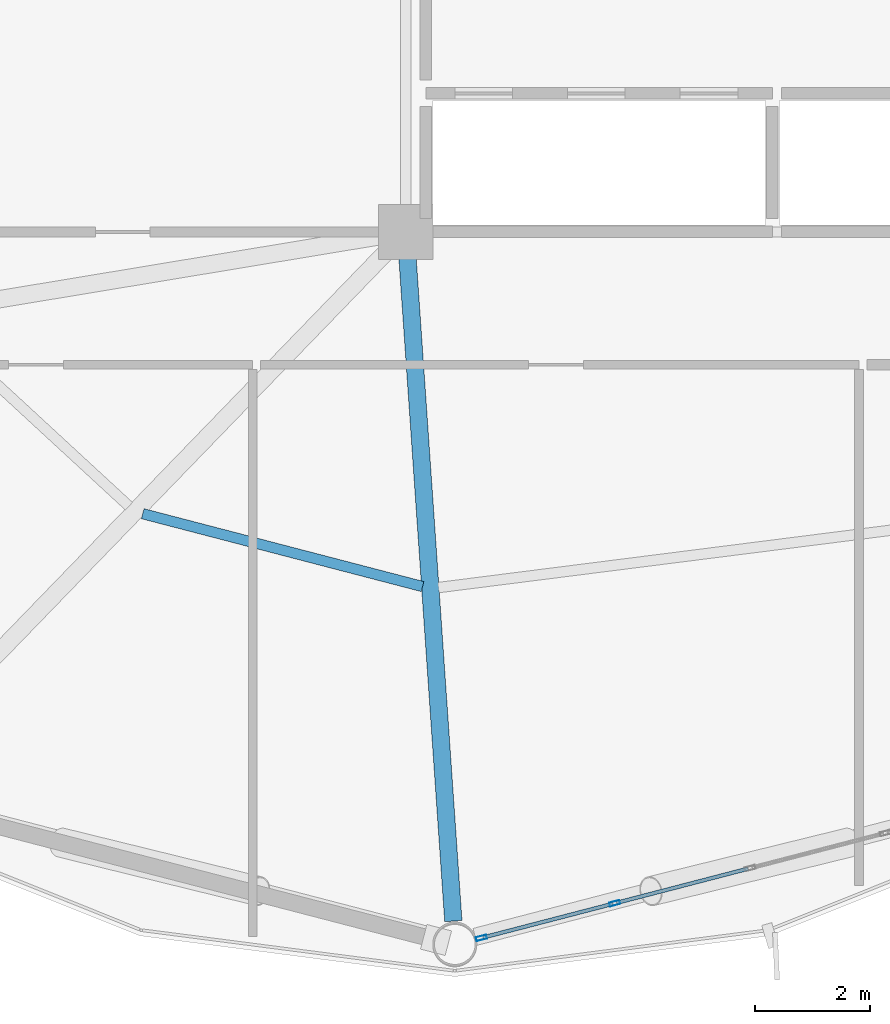
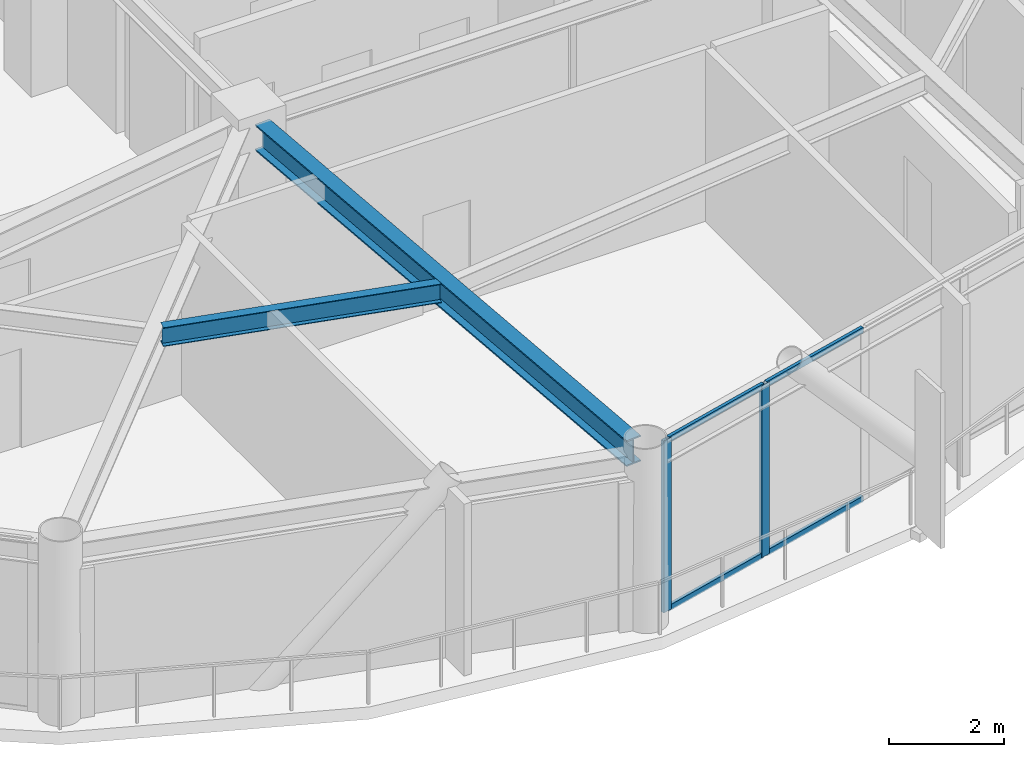
# One storey, part 7 of 24: 6 members, 2 beams, 1 element without a shape of its own.
"""IFC4 building model written with IfcOpenShell, lengths in metres."""

from ifc_helpers import new_model, si_unit, direction, frame, origin, origin_2d, place, context, subcontext, project, spatial, hollow_rectangle, i_section, extrude, material, layer, layer_set, material_profile, profile_set, type_object, element, aggregate, save


model = new_model("IFC4")

# Units and contexts
model_context = context("Model", 3, precision=1e-05, world=origin(), true_north=direction((0.0, 1.0)))
body_context = subcontext(model_context, "Body", "Model", "MODEL_VIEW")
ifc_project = project(units=[si_unit("LENGTHUNIT", "METRE"), si_unit("AREAUNIT", "SQUARE_METRE"), si_unit("VOLUMEUNIT", "CUBIC_METRE"), si_unit("PLANEANGLEUNIT", "RADIAN"), si_unit("MASSUNIT", "GRAM", prefix="KILO")], contexts=[model_context])

# Site, building, storey
site_placement = place(None, origin())
site = spatial("IfcSite", under=ifc_project, at=site_placement, CompositionType="ELEMENT")
building_placement = place(site_placement, origin())
building = spatial("IfcBuilding", under=site, at=building_placement, Name="Varnakorn Sky Granary", CompositionType="ELEMENT")
storey_placement = place(building_placement, frame((0.0, 0.0, 161.699951171875)))
storey = spatial("IfcBuildingStorey", under=building, at=storey_placement, Name="L40", CompositionType="ELEMENT", Elevation=161.699951171875)

# Beams
ifc_material_1 = material(Name="Steel S355JR", Category="steel")
ifc_material_profile_1 = material_profile(ifc_material_1, i_section(OverallWidth=0.300048828125, OverallDepth=0.550048828125, WebThickness=0.014892578125, FlangeThickness=0.029052734375, at=origin_2d()), Name="HE 550 B")
ifc_profile_set_1 = profile_set([ifc_material_profile_1], Name="Steel S355JR")
beam_type_1 = type_object("IfcBeamType", Name="BM-RAD-Z3", PredefinedType="BEAM", material=ifc_profile_set_1)
beam_1_placement = place(storey_placement, frame((-2.321044921875, -7.01904296875, 3.364990234375), z_axis=(0.068960353848, -0.997619401173, 0.0), x_axis=(0.997619401173, 0.068960353848, 0.0)))
element("IfcBeam", 1, at=beam_1_placement, inside=storey, type_object=beam_type_1, Name="Radial Floor Girder RG10 L40", PredefinedType="BEAM", context=body_context, shape_type="SweptSolid", body=[
    extrude(i_section(OverallWidth=0.300048828125, OverallDepth=0.550048828125, WebThickness=0.014892578125, FlangeThickness=0.029052734375, at=origin_2d()), origin(), (0.0, 0.0, 1.0), 11.54150390625),
])
ifc_material_profile_2 = material_profile(ifc_material_1, i_section(OverallWidth=0.179931640625, OverallDepth=0.39990234375, WebThickness=0.008544921875, FlangeThickness=0.013427734375, at=origin_2d()), Name="IPE 400")
ifc_profile_set_2 = profile_set([ifc_material_profile_2], Name="Steel S355JR")
beam_type_2 = type_object("IfcBeamType", Name="BM-SEC-Z3", PredefinedType="BEAM", material=ifc_profile_set_2)
beam_2_placement = place(storey_placement, frame((-6.90380859375, -11.479248046875, 3.43994140625), z_axis=(0.967738850224, -0.251955388446, 0.0), x_axis=(0.251955388446, 0.967738850224, 0.0)))
element("IfcBeam", 2, at=beam_2_placement, inside=storey, type_object=beam_type_2, Name="Secondary Floor Chord Beam MSB09 L40", PredefinedType="BEAM", context=body_context, shape_type="SweptSolid", body=[
    extrude(i_section(OverallWidth=0.179931640625, OverallDepth=0.39990234375, WebThickness=0.008544921875, FlangeThickness=0.013427734375, at=origin_2d()), origin(), (0.0, 0.0, 1.0), 5.0068359375),
])

# Curtain wall, members
ifc_material_2 = material(Name="Anodised Bronze Aluminium Alloy 6063-T6", Category="aluminium")
ifc_layer = layer(ifc_material_2, 0.179931640625, Name="Anodised Bronze Aluminium Alloy 6063-T6")
ifc_layer_set = layer_set([ifc_layer], Name="Anodised Bronze Aluminium Alloy 6063-T6")
curtain_wall_type = type_object("IfcCurtainWallType", Name="CW-FRM-2", PredefinedType="USERDEFINED", material=ifc_layer_set)
curtain_wall_placement = place(storey_placement, origin())
curtain_wall = element("IfcCurtainWall", 3, at=curtain_wall_placement, inside=storey, type_object=curtain_wall_type, Name="Unitised Curtain Wall CW4 CW-L40-B10", ObjectType="CURTAIN WALL", PredefinedType="USERDEFINED")
ifc_material_profile_3 = material_profile(ifc_material_2, hollow_rectangle(XDim=0.070068359375, YDim=0.18505859375, WallThickness=0.00390625, at=origin_2d()), Name="ALU MULL 70x185")
ifc_profile_set_3 = profile_set([ifc_material_profile_3], Name="Anodised Bronze Aluminium Alloy 6063-T6")
member_type_1 = type_object("IfcMemberType", Name="CW-FRM-2-MULL", PredefinedType="MULLION", material=ifc_profile_set_3)
member_1_placement = place(storey_placement, frame((1.269287109375, -18.225830078125, 0.0), z_axis=(0.0, 0.0, 1.0), x_axis=(0.251362548835, -0.967893004956, 0.0)))
member_1 = element("IfcMember", 4, at=member_1_placement, type_object=member_type_1, Name="CW4 mullion 4", PredefinedType="MULLION", context=body_context, shape_type="SweptSolid", body=[
    extrude(hollow_rectangle(XDim=0.070068359375, YDim=0.18505859375, WallThickness=0.00390625, at=origin_2d()), origin(), (0.0, 0.0, 1.0), 3.64013671875),
])
member_2_placement = place(storey_placement, frame((-1.039306640625, -18.825439453125, 0.0), z_axis=(0.0, 0.0, 1.0), x_axis=(0.251362548835, -0.967893004956, 0.0)))
member_2 = element("IfcMember", 5, at=member_2_placement, type_object=member_type_1, Name="CW4 mullion 5", PredefinedType="MULLION", context=body_context, shape_type="SweptSolid", body=[
    extrude(hollow_rectangle(XDim=0.070068359375, YDim=0.18505859375, WallThickness=0.00390625, at=origin_2d()), origin(), (0.0, 0.0, 1.0), 3.64013671875),
])
ifc_material_profile_4 = material_profile(ifc_material_2, hollow_rectangle(XDim=0.06494140625, YDim=0.1201171875, WallThickness=0.00341796875, at=origin_2d()), Name="ALU TRAN 65x120")
ifc_profile_set_4 = profile_set([ifc_material_profile_4], Name="Anodised Bronze Aluminium Alloy 6063-T6")
member_type_2 = type_object("IfcMemberType", Name="CW-FRM-2-TRAN", PredefinedType="USERDEFINED", material=ifc_profile_set_4)
member_3_placement = place(storey_placement, frame((3.578125, -17.626220703125, 0.032470703125), z_axis=(-0.967890267494, -0.251373089433, 0.0), x_axis=(0.251373089433, -0.967890267494, 0.0)))
member_3 = element("IfcMember", 6, at=member_3_placement, type_object=member_type_2, Name="CW4 transom 3.1", ObjectType="TRANSOM", PredefinedType="USERDEFINED", context=body_context, shape_type="SweptSolid", body=[
    extrude(hollow_rectangle(XDim=0.06494140625, YDim=0.1201171875, WallThickness=0.00341796875, at=origin_2d()), origin(), (0.0, 0.0, 1.0), 2.350341796875),
])
member_4_placement = place(storey_placement, frame((3.578125, -17.626220703125, 3.607666015625), z_axis=(-0.967890267494, -0.251373089433, 0.0), x_axis=(0.251373089433, -0.967890267494, 0.0)))
member_4 = element("IfcMember", 7, at=member_4_placement, type_object=member_type_2, Name="CW4 transom 3.2", ObjectType="TRANSOM", PredefinedType="USERDEFINED", context=body_context, shape_type="SweptSolid", body=[
    extrude(hollow_rectangle(XDim=0.06494140625, YDim=0.1201171875, WallThickness=0.00341796875, at=origin_2d()), origin(), (0.0, 0.0, 1.0), 2.350341796875),
])
member_5_placement = place(storey_placement, frame((1.235595703125, -18.234619140625, 0.032470703125), z_axis=(-0.967887701378, -0.251382969832, 0.0), x_axis=(0.251382969832, -0.967887701378, 0.0)))
member_5 = element("IfcMember", 8, at=member_5_placement, type_object=member_type_2, Name="CW4 transom 4.1", ObjectType="TRANSOM", PredefinedType="USERDEFINED", context=body_context, shape_type="SweptSolid", body=[
    extrude(hollow_rectangle(XDim=0.06494140625, YDim=0.1201171875, WallThickness=0.00341796875, at=origin_2d()), origin(), (0.0, 0.0, 1.0), 2.3154296875),
])
member_6_placement = place(storey_placement, frame((1.235595703125, -18.234619140625, 3.607666015625), z_axis=(-0.967887701378, -0.251382969832, 0.0), x_axis=(0.251382969832, -0.967887701378, 0.0)))
member_6 = element("IfcMember", 9, at=member_6_placement, type_object=member_type_2, Name="CW4 transom 4.2", ObjectType="TRANSOM", PredefinedType="USERDEFINED", context=body_context, shape_type="SweptSolid", body=[
    extrude(hollow_rectangle(XDim=0.06494140625, YDim=0.1201171875, WallThickness=0.00341796875, at=origin_2d()), origin(), (0.0, 0.0, 1.0), 2.3154296875),
])
aggregate(curtain_wall, [member_1, member_2, member_3, member_4, member_5, member_6])

save(model, "model.ifc")
